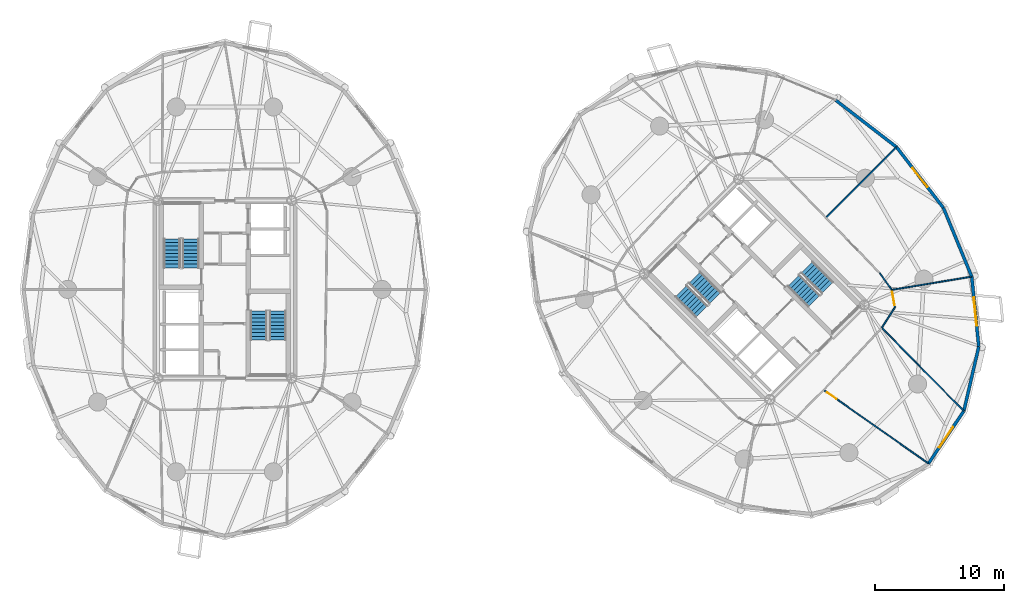
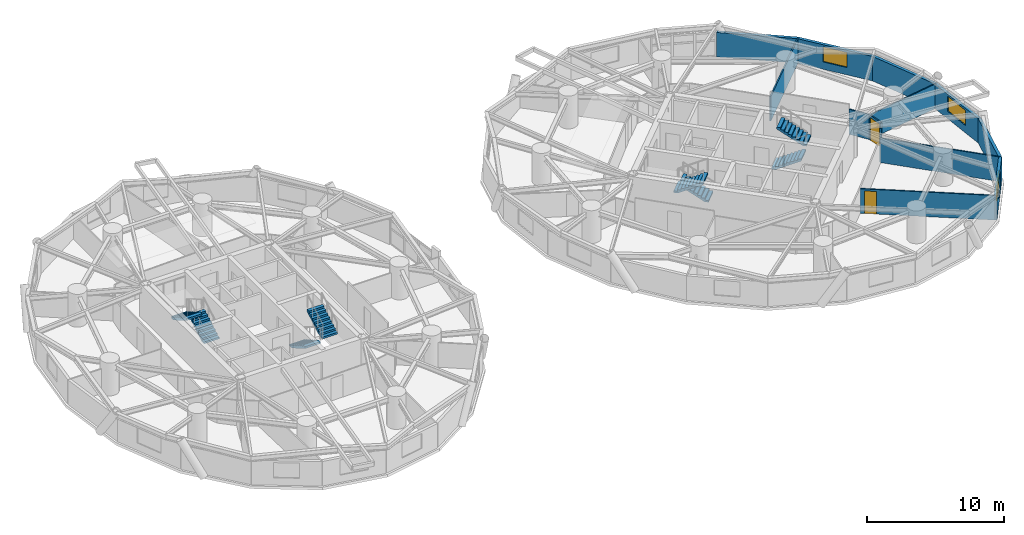
# One storey, part 14 of 16: 13 walls, 8 stair flights, 3 windows, 2 doors, 5 openings, 4 elements without a shape of their own.
"""IFC4 building model written with IfcOpenShell, lengths in metres."""

from ifc_helpers import new_model, si_unit, direction, frame, frame_2d, origin, place, context, subcontext, project, spatial, polyline, rectangle, outline, extrude, source, transform, mapped, material, layer, layer_set, type_object, element, fill, aggregate, save


model = new_model("IFC4")

# Units and contexts
model_context = context("Model", 3, precision=1e-05, world=origin(), true_north=direction((0.0, 1.0)))
body_context = subcontext(model_context, "Body", "Model", "MODEL_VIEW")
ifc_project = project(units=[si_unit("LENGTHUNIT", "METRE"), si_unit("AREAUNIT", "SQUARE_METRE"), si_unit("VOLUMEUNIT", "CUBIC_METRE"), si_unit("PLANEANGLEUNIT", "RADIAN"), si_unit("MASSUNIT", "GRAM", prefix="KILO")], contexts=[model_context])

# Site, building, storey
site_placement = place(None, origin())
site = spatial("IfcSite", under=ifc_project, at=site_placement, CompositionType="ELEMENT")
building_placement = place(site_placement, origin())
building = spatial("IfcBuilding", under=site, at=building_placement, Name="Cununo Teusaquillo Station Towers", CompositionType="ELEMENT")
storey_placement = place(building_placement, frame((0.0, 0.0, 99.25)))
storey = spatial("IfcBuildingStorey", under=building, at=storey_placement, Name="L31", CompositionType="ELEMENT", Elevation=99.25)

# Wall
ifc_material_1 = material(Name="Precast concrete C40/50", Category="concrete")
ifc_layer_1 = layer(ifc_material_1, 0.239990234375)
ifc_layer_set_1 = layer_set([ifc_layer_1], Name="Precast concrete C40/50")
wall_type_1 = type_object("IfcWallType", Name="WL-EXT-240", PredefinedType="SOLIDWALL", material=ifc_layer_set_1)
wall_1_placement = place(storey_placement, frame((63.811279296875, 39.145263671875, 0.0), z_axis=(0.0, 0.0, 1.0), x_axis=(0.791982052206, -0.61054437102, 0.0)))
element("IfcWall", 1, at=wall_1_placement, inside=storey, type_object=wall_type_1, Name="L31 Tower B Exterior Facade Wall C00", PredefinedType="SOLIDWALL", context=body_context, shape_type="SweptSolid", body=[
    extrude(rectangle(XDim=5.942138671875, YDim=0.239990234375, at=frame_2d((2.97119140625, 0.0))), origin(), (0.0, 0.0, 1.0), 2.178955078125),
])

# Wall, opening, window
wall_2_placement = place(storey_placement, frame((73.72900390625, 15.080078125, 0.0), z_axis=(0.0, 0.0, 1.0), x_axis=(-0.559572880421, -0.828781148131, 0.0)))
wall_2 = element("IfcWall", 2, at=wall_2_placement, inside=storey, type_object=wall_type_1, Name="L31 Tower B Exterior Facade Wall C15", PredefinedType="SOLIDWALL", context=body_context, shape_type="SweptSolid", body=[
    extrude(rectangle(XDim=4.904541015625, YDim=0.239990234375, at=frame_2d((2.4521484375, 0.0))), origin(), (0.0, 0.0, 1.0), 2.178955078125),
])
shared_shape_1 = source(origin(), body_context, "Body", "SweptSolid", [
    extrude(rectangle(XDim=1.89990234375, YDim=1.35009765625, at=frame_2d((0.949951171875, 0.675048828125))), frame((0.0, 0.1298828125, 0.0), z_axis=(0.0, -1.0, 0.0), x_axis=(1.0, 0.0, 0.0)), (0.0, 0.0, 1.0), 0.260009765625),
])
opening_1_placement = place(wall_2_placement, frame((1.501953125, 0.0, 0.64990234375)))
opening_1 = element("IfcOpeningElement", 3, at=opening_1_placement, cuts=wall_2, Name="Opening WN-02", PredefinedType="OPENING", context=body_context, shape_type="MappedRepresentation", body=[
    mapped(shared_shape_1, transform((0.0, 0.0, 0.0), x_axis=(1.0, 0.0, 0.0), y_axis=(0.0, 1.0, 0.0), z_axis=(0.0, 0.0, 1.0), scale=1.0)),
])
ifc_material_2 = material(Name="Operable acoustic tinted low-E double glazing", Category="glass")
window_type_1 = type_object("IfcWindowType", Name="WIN-OPER-1900", PartitioningType="DOUBLE_PANEL_VERTICAL", PredefinedType="WINDOW", material=ifc_material_2)
shared_shape_2 = source(origin(), body_context, "Body", "SweptSolid", [
    extrude(rectangle(XDim=1.89990234375, YDim=1.35009765625, at=frame_2d((0.949951171875, 0.675048828125))), frame((0.0, 0.030029296875, 0.0), z_axis=(0.0, -1.0, 0.0), x_axis=(1.0, 0.0, 0.0)), (0.0, 0.0, 1.0), 0.06005859375),
])
window_1_placement = place(opening_1_placement, origin())
window_1 = element("IfcWindow", 4, at=window_1_placement, inside=storey, type_object=window_type_1, Name="L31 Tower B Facade Window C15", OverallHeight=1.35009765625, OverallWidth=1.89990234375, PartitioningType="DOUBLE_PANEL_VERTICAL", PredefinedType="WINDOW", context=body_context, shape_type="MappedRepresentation", body=[
    mapped(shared_shape_2, transform((0.0, 0.0, 0.0), x_axis=(1.0, 0.0, 0.0), y_axis=(0.0, 1.0, 0.0), z_axis=(0.0, 0.0, 1.0), scale=1.0)),
])
fill(opening_1, window_1)

# Wall
wall_3_placement = place(storey_placement, frame((74.885009765625, 20.066650390625, 0.0), z_axis=(0.0, 0.0, 1.0), x_axis=(-0.225834725257, -0.974165631126, 0.0)))
element("IfcWall", 5, at=wall_3_placement, inside=storey, type_object=wall_type_1, Name="L31 Tower B Exterior Facade Wall C16", PredefinedType="SOLIDWALL", context=body_context, shape_type="SweptSolid", body=[
    extrude(rectangle(XDim=5.118896484375, YDim=0.239990234375, at=frame_2d((2.5595703125, 0.0))), origin(), (0.0, 0.0, 1.0), 2.178955078125),
])

# Wall, opening, window
wall_4_placement = place(storey_placement, frame((74.33935546875, 25.4873046875, 0.0), z_axis=(0.0, 0.0, 1.0), x_axis=(0.10015591906, -0.994971754311, 0.0)))
wall_4 = element("IfcWall", 6, at=wall_4_placement, inside=storey, type_object=wall_type_1, Name="L31 Tower B Exterior Facade Wall C17", PredefinedType="SOLIDWALL", context=body_context, shape_type="SweptSolid", body=[
    extrude(rectangle(XDim=5.447998046875, YDim=0.239990234375, at=frame_2d((2.72412109375, 0.0))), origin(), (0.0, 0.0, 1.0), 2.178955078125),
])
shared_shape_3 = source(origin(), body_context, "Body", "SweptSolid", [
    extrude(rectangle(XDim=2.199951171875, YDim=1.35009765625, at=frame_2d((1.10009765625, 0.675048828125))), frame((0.0, 0.1298828125, 0.0), z_axis=(0.0, -1.0, 0.0), x_axis=(1.0, 0.0, 0.0)), (0.0, 0.0, 1.0), 0.260009765625),
])
opening_2_placement = place(wall_4_placement, frame((1.6240234375, 0.0, 0.64990234375)))
opening_2 = element("IfcOpeningElement", 7, at=opening_2_placement, cuts=wall_4, Name="Opening WN-01", PredefinedType="OPENING", context=body_context, shape_type="MappedRepresentation", body=[
    mapped(shared_shape_3, transform((0.0, 0.0, 0.0), x_axis=(1.0, 0.0, 0.0), y_axis=(0.0, 1.0, 0.0), z_axis=(0.0, 0.0, 1.0), scale=1.0)),
])
ifc_material_3 = material(Name="Ceramic-fritted dark low-E double glazing", Category="glass")
window_type_2 = type_object("IfcWindowType", Name="WIN-FRIT-2200", PartitioningType="DOUBLE_PANEL_VERTICAL", PredefinedType="WINDOW", material=ifc_material_3)
shared_shape_4 = source(origin(), body_context, "Body", "SweptSolid", [
    extrude(rectangle(XDim=2.199951171875, YDim=1.35009765625, at=frame_2d((1.10009765625, 0.675048828125))), frame((0.0, 0.030029296875, 0.0), z_axis=(0.0, -1.0, 0.0), x_axis=(1.0, 0.0, 0.0)), (0.0, 0.0, 1.0), 0.06005859375),
])
window_2_placement = place(opening_2_placement, origin())
window_2 = element("IfcWindow", 8, at=window_2_placement, inside=storey, type_object=window_type_2, Name="L31 Tower B Facade Window C17", OverallHeight=1.35009765625, OverallWidth=2.199951171875, PartitioningType="DOUBLE_PANEL_VERTICAL", PredefinedType="WINDOW", context=body_context, shape_type="MappedRepresentation", body=[
    mapped(shared_shape_4, transform((0.0, 0.0, 0.0), x_axis=(1.0, 0.0, 0.0), y_axis=(0.0, 1.0, 0.0), z_axis=(0.0, 0.0, 1.0), scale=1.0)),
])
fill(opening_2, window_2)

# Wall
wall_5_placement = place(storey_placement, frame((72.145263671875, 30.811279296875, 0.0), z_axis=(0.0, 0.0, 1.0), x_axis=(0.381027003055, -0.924563909604, 0.0)))
element("IfcWall", 9, at=wall_5_placement, inside=storey, type_object=wall_type_1, Name="L31 Tower B Exterior Facade Wall C18", PredefinedType="SOLIDWALL", context=body_context, shape_type="SweptSolid", body=[
    extrude(rectangle(XDim=5.75830078125, YDim=0.239990234375, at=frame_2d((2.879150390625, 0.0))), origin(), (0.0, 0.0, 1.0), 2.178955078125),
])

# Wall, opening, window
wall_6_placement = place(storey_placement, frame((68.517333984375, 35.517333984375, 0.0), z_axis=(0.0, 0.0, 1.0), x_axis=(0.61054437102, -0.791982052206, 0.0)))
wall_6 = element("IfcWall", 10, at=wall_6_placement, inside=storey, type_object=wall_type_1, Name="L31 Tower B Exterior Facade Wall C19", PredefinedType="SOLIDWALL", context=body_context, shape_type="SweptSolid", body=[
    extrude(rectangle(XDim=5.942138671875, YDim=0.239990234375, at=frame_2d((2.97119140625, 0.0))), origin(), (0.0, 0.0, 1.0), 2.178955078125),
])
opening_3_placement = place(wall_6_placement, frame((2.02099609375, 0.0, 0.64990234375)))
opening_3 = element("IfcOpeningElement", 11, at=opening_3_placement, cuts=wall_6, Name="Opening WN-02", PredefinedType="OPENING", context=body_context, shape_type="MappedRepresentation", body=[
    mapped(shared_shape_1, transform((0.0, 0.0, 0.0), x_axis=(1.0, 0.0, 0.0), y_axis=(0.0, 1.0, 0.0), z_axis=(0.0, 0.0, 1.0), scale=1.0)),
])
window_3_placement = place(opening_3_placement, origin())
window_3 = element("IfcWindow", 12, at=window_3_placement, inside=storey, type_object=window_type_1, Name="L31 Tower B Facade Window C19", OverallHeight=1.35009765625, OverallWidth=1.89990234375, PartitioningType="DOUBLE_PANEL_VERTICAL", PredefinedType="WINDOW", context=body_context, shape_type="MappedRepresentation", body=[
    mapped(shared_shape_2, transform((0.0, 0.0, 0.0), x_axis=(1.0, 0.0, 0.0), y_axis=(0.0, 1.0, 0.0), z_axis=(0.0, 0.0, 1.0), scale=1.0)),
])
fill(opening_3, window_3)

# Wall
ifc_material_4 = material(Name="Fire-rated gypsum plasterboard partition assembly", Category="gypsum")
ifc_layer_2 = layer(ifc_material_4, 0.10009765625)
ifc_layer_set_2 = layer_set([ifc_layer_2], Name="Fire-rated gypsum plasterboard partition assembly")
wall_type_2 = type_object("IfcWallType", Name="WL-PART-100", PredefinedType="MOVABLE", material=ifc_layer_set_2)
wall_7_placement = place(storey_placement, frame((67.3779296875, 21.534423828125, 0.0), z_axis=(0.0, 0.0, 1.0), x_axis=(0.54130306552, 0.840827563332, 0.0)))
element("IfcWall", 13, at=wall_7_placement, inside=storey, type_object=wall_type_2, Name="L31 Tower B Corridor Ring Wall C16", PredefinedType="MOVABLE", context=body_context, shape_type="SweptSolid", body=[
    extrude(rectangle(XDim=1.877197265625, YDim=0.10009765625, at=frame_2d((0.9384765625, 0.0))), origin(), (0.0, 0.0, 1.0), 2.22509765625),
])

# Wall, opening, door
wall_8_placement = place(storey_placement, frame((68.39404296875, 23.11279296875, 0.0), z_axis=(0.0, 0.0, 1.0), x_axis=(-0.177868948753, 0.984054184011, 0.0)))
wall_8 = element("IfcWall", 14, at=wall_8_placement, inside=storey, type_object=wall_type_2, Name="L31 Tower B Corridor Ring Wall C17", PredefinedType="MOVABLE", context=body_context, shape_type="SweptSolid", body=[
    extrude(rectangle(XDim=1.3740234375, YDim=0.10009765625, at=frame_2d((0.68701171875, 0.0))), origin(), (0.0, 0.0, 1.0), 2.22509765625),
])
shared_shape_5 = source(origin(), body_context, "Body", "SweptSolid", [
    extrude(rectangle(XDim=1.050048828125, YDim=2.014892578125, at=frame_2d((0.52490234375, 1.00732421875))), frame((0.0, 0.06005859375, 0.0), z_axis=(0.0, -1.0, 0.0), x_axis=(1.0, 0.0, 0.0)), (0.0, 0.0, 1.0), 0.1201171875),
])
opening_4_placement = place(wall_8_placement, frame((0.162109375, 0.0, 0.0)))
opening_4 = element("IfcOpeningElement", 15, at=opening_4_placement, cuts=wall_8, Name="Opening D-SU1", PredefinedType="OPENING", context=body_context, shape_type="MappedRepresentation", body=[
    mapped(shared_shape_5, transform((0.0, 0.0, 0.0), x_axis=(1.0, 0.0, 0.0), y_axis=(0.0, 1.0, 0.0), z_axis=(0.0, 0.0, 1.0), scale=1.0)),
])
ifc_material_5 = material(Name="Acoustic solid-core hardwood leaf assembly", Category="wood")
door_type_1 = type_object("IfcDoorType", Name="DR-SUITE-1050", OperationType="NOTDEFINED", PredefinedType="DOOR", material=ifc_material_5)
shared_shape_6 = source(origin(), body_context, "Body", "SweptSolid", [
    extrude(rectangle(XDim=1.050048828125, YDim=2.014892578125, at=frame_2d((0.52490234375, 1.00732421875))), frame((0.0, 0.02490234375, 0.0), z_axis=(0.0, -1.0, 0.0), x_axis=(1.0, 0.0, 0.0)), (0.0, 0.0, 1.0), 0.050048828125),
])
door_1_placement = place(opening_4_placement, origin())
door_1 = element("IfcDoor", 16, at=door_1_placement, inside=storey, type_object=door_type_1, Name="L31 Tower B Traders Quiet Recovery Pantry Entrance Door", OperationType="SINGLE_SWING_LEFT", OverallHeight=2.014892578125, OverallWidth=1.050048828125, PredefinedType="DOOR", context=body_context, shape_type="MappedRepresentation", body=[
    mapped(shared_shape_6, transform((0.0, 0.0, 0.0), x_axis=(1.0, 0.0, 0.0), y_axis=(0.0, 1.0, 0.0), z_axis=(0.0, 0.0, 1.0), scale=1.0)),
])
fill(opening_4, door_1)

# Walls
wall_9_placement = place(storey_placement, frame((68.149658203125, 24.46484375, 0.0), z_axis=(0.0, 0.0, 1.0), x_axis=(-0.58376767291, 0.811920749868, 0.0)))
element("IfcWall", 17, at=wall_9_placement, inside=storey, type_object=wall_type_2, Name="L31 Tower B Corridor Ring Wall C18", PredefinedType="MOVABLE", context=body_context, shape_type="SweptSolid", body=[
    extrude(rectangle(XDim=1.605224609375, YDim=0.10009765625, at=frame_2d((0.802734375, 0.0))), origin(), (0.0, 0.0, 1.0), 2.22509765625),
])
wall_10_placement = place(storey_placement, frame((63.05078125, 30.05078125, 0.0), z_axis=(0.0, 0.0, 1.0), x_axis=(0.707106781187, 0.707106781187, 0.0)))
element("IfcWall", 18, at=wall_10_placement, inside=storey, type_object=wall_type_2, Name="L31 Tower B Radial Suite Partition R01", PredefinedType="MOVABLE", context=body_context, shape_type="SweptSolid", body=[
    extrude(rectangle(XDim=7.711181640625, YDim=0.10009765625, at=frame_2d((3.85546875, 0.0))), origin(), (0.0, 0.0, 1.0), 2.178955078125),
])
wall_11_placement = place(storey_placement, frame((67.3779296875, 21.534423828125, 0.0), z_axis=(0.0, 0.0, 1.0), x_axis=(0.700878918497, -0.713280268622, 0.0)))
element("IfcWall", 19, at=wall_11_placement, inside=storey, type_object=wall_type_2, Name="L31 Tower B Radial Suite Partition R07", PredefinedType="MOVABLE", context=body_context, shape_type="SweptSolid", body=[
    extrude(rectangle(XDim=9.0361328125, YDim=0.10009765625, at=frame_2d((4.51806640625, 0.0))), origin(), (0.0, 0.0, 1.0), 2.178955078125),
])
wall_12_placement = place(storey_placement, frame((68.149658203125, 24.46484375, 0.0), z_axis=(0.0, 0.0, 1.0), x_axis=(0.986627164528, 0.162993368625, 0.0)))
element("IfcWall", 20, at=wall_12_placement, inside=storey, type_object=wall_type_2, Name="L31 Tower B Radial Suite Partition R08", PredefinedType="MOVABLE", context=body_context, shape_type="SweptSolid", body=[
    extrude(rectangle(XDim=6.253662109375, YDim=0.10009765625, at=frame_2d((3.126953125, 0.0))), origin(), (0.0, 0.0, 1.0), 2.178955078125),
])

# Wall, opening, door
wall_13_placement = place(storey_placement, frame((62.874755859375, 16.709228515625, 0.0), z_axis=(0.0, 0.0, 1.0), x_axis=(0.818628370173, -0.574323594804, 0.0)))
wall_13 = element("IfcWall", 21, at=wall_13_placement, inside=storey, type_object=wall_type_2, Name="L31 Tower B Algorithmic Backtesting Lab Suite Subdividing Wall", PredefinedType="MOVABLE", context=body_context, shape_type="SweptSolid", body=[
    extrude(rectangle(XDim=9.889404296875, YDim=0.10009765625, at=frame_2d((4.94482421875, 0.0))), origin(), (0.0, 0.0, 1.0), 2.178955078125),
])
shared_shape_7 = source(origin(), body_context, "Body", "SweptSolid", [
    extrude(rectangle(XDim=0.89990234375, YDim=2.0048828125, at=frame_2d((0.449951171875, 1.00244140625))), frame((0.0, 0.06005859375, 0.0), z_axis=(0.0, -1.0, 0.0), x_axis=(1.0, 0.0, 0.0)), (0.0, 0.0, 1.0), 0.1201171875),
])
opening_5_placement = place(wall_13_placement, frame((0.330078125, 0.0, 0.0)))
opening_5 = element("IfcOpeningElement", 22, at=opening_5_placement, cuts=wall_13, Name="Opening D-IN1", PredefinedType="OPENING", context=body_context, shape_type="MappedRepresentation", body=[
    mapped(shared_shape_7, transform((0.0, 0.0, 0.0), x_axis=(1.0, 0.0, 0.0), y_axis=(0.0, 1.0, 0.0), z_axis=(0.0, 0.0, 1.0), scale=1.0)),
])
ifc_material_6 = material(Name="Acoustic solid-core hardwood leaf assembly", Category="wood")
door_type_2 = type_object("IfcDoorType", Name="DR-INT-900", OperationType="NOTDEFINED", PredefinedType="DOOR", material=ifc_material_6)
shared_shape_8 = source(origin(), body_context, "Body", "SweptSolid", [
    extrude(rectangle(XDim=0.89990234375, YDim=2.0048828125, at=frame_2d((0.449951171875, 1.00244140625))), frame((0.0, 0.02490234375, 0.0), z_axis=(0.0, -1.0, 0.0), x_axis=(1.0, 0.0, 0.0)), (0.0, 0.0, 1.0), 0.050048828125),
])
door_2_placement = place(opening_5_placement, origin())
door_2 = element("IfcDoor", 23, at=door_2_placement, inside=storey, type_object=door_type_2, Name="L31 Tower B Algorithmic Backtesting Lab Suite Connecting Door", OperationType="SINGLE_SWING_RIGHT", OverallHeight=2.0048828125, OverallWidth=0.89990234375, PredefinedType="DOOR", context=body_context, shape_type="MappedRepresentation", body=[
    mapped(shared_shape_8, transform((0.0, 0.0, 0.0), x_axis=(1.0, 0.0, 0.0), y_axis=(0.0, 1.0, 0.0), z_axis=(0.0, 0.0, 1.0), scale=1.0)),
])
fill(opening_5, door_2)

# Stair, stair flights
ifc_material_7 = material(Name="Concrete C50/60", Category="concrete")
stair_type = type_object("IfcStairType", Name="ST-TWR-1300", PredefinedType="HALF_TURN_STAIR", material=ifc_material_7)
stair_1_placement = place(storey_placement, origin())
stair_1 = element("IfcStair", 24, at=stair_1_placement, inside=storey, type_object=stair_type, Name="L31 Tower A Protected Core Exit Stair 1", PredefinedType="HALF_TURN_STAIR")
ifc_material_8 = material(Name="Concrete C50/60", Category="concrete")
stair_flight_type = type_object("IfcStairFlightType", Name="SFL-TWR-1300", PredefinedType="STRAIGHT", material=ifc_material_8)
stair_flight_1_placement = place(storey_placement, frame((13.8701171875, 26.169921875, 0.0), z_axis=(0.0, 0.0, 1.0), x_axis=(0.0, 1.0, 0.0)))
stair_flight_1 = element("IfcStairFlight", 25, at=stair_flight_1_placement, type_object=stair_flight_type, Name="ST-T1-1 flight 1", NumberOfRisers=9, NumberOfTreads=8, PredefinedType="STRAIGHT", RiserHeight=0.161666667, TreadLength=0.28, context=body_context, shape_type="SweptSolid", body=[
    extrude(outline(polyline([(0.0, 0.0), (0.0, 0.16162109375), (0.280029296875, 0.16162109375), (0.280029296875, 0.3232421875), (0.56005859375, 0.3232421875), (0.56005859375, 0.485107421875), (0.840087890625, 0.485107421875), (0.840087890625, 0.646728515625), (1.1201171875, 0.646728515625), (1.1201171875, 0.808349609375), (1.39990234375, 0.808349609375), (1.39990234375, 0.969970703125), (1.679931640625, 0.969970703125), (1.679931640625, 1.131591796875), (1.9599609375, 1.131591796875), (1.9599609375, 1.293212890625), (2.239990234375, 1.293212890625), (2.239990234375, 1.455078125), (2.239990234375, 1.1201171875), (0.2998046875, 0.0), (0.0, 0.0)])), frame((0.0, 0.64990234375, 0.0), z_axis=(0.0, -1.0, 0.0), x_axis=(1.0, 0.0, 0.0)), (0.0, 0.0, 1.0), 1.300048828125),
])
stair_flight_2_placement = place(storey_placement, frame((12.409912109375, 28.409912109375, 1.455078125), z_axis=(0.0, 0.0, 1.0), x_axis=(0.0, -1.0, 0.0)))
stair_flight_2 = element("IfcStairFlight", 26, at=stair_flight_2_placement, type_object=stair_flight_type, Name="ST-T1-1 flight 2", NumberOfRisers=9, NumberOfTreads=8, PredefinedType="STRAIGHT", RiserHeight=0.161666667, TreadLength=0.28, context=body_context, shape_type="SweptSolid", body=[
    extrude(outline(polyline([(0.0, 0.0), (0.0, 0.16162109375), (0.280029296875, 0.16162109375), (0.280029296875, 0.3232421875), (0.56005859375, 0.3232421875), (0.56005859375, 0.485107421875), (0.840087890625, 0.485107421875), (0.840087890625, 0.646728515625), (1.1201171875, 0.646728515625), (1.1201171875, 0.808349609375), (1.39990234375, 0.808349609375), (1.39990234375, 0.969970703125), (1.679931640625, 0.969970703125), (1.679931640625, 1.131591796875), (1.9599609375, 1.131591796875), (1.9599609375, 1.293212890625), (2.239990234375, 1.293212890625), (2.239990234375, 1.455078125), (2.239990234375, 1.1201171875), (0.2998046875, 0.0), (0.0, 0.0)])), frame((0.0, 0.64990234375, 0.0), z_axis=(0.0, -1.0, 0.0), x_axis=(1.0, 0.0, 0.0)), (0.0, 0.0, 1.0), 1.300048828125),
])
aggregate(stair_1, [stair_flight_1, stair_flight_2])

stair_2_placement = place(storey_placement, origin())
stair_2 = element("IfcStair", 27, at=stair_2_placement, inside=storey, type_object=stair_type, Name="L31 Tower A Protected Core Exit Stair 2", PredefinedType="HALF_TURN_STAIR")
stair_flight_3_placement = place(storey_placement, frame((19.1298828125, 22.830078125, 0.0), z_axis=(0.0, 0.0, 1.0), x_axis=(0.0, -1.0, 0.0)))
stair_flight_3 = element("IfcStairFlight", 28, at=stair_flight_3_placement, type_object=stair_flight_type, Name="ST-T1-2 flight 1", NumberOfRisers=9, NumberOfTreads=8, PredefinedType="STRAIGHT", RiserHeight=0.161666667, TreadLength=0.28, context=body_context, shape_type="SweptSolid", body=[
    extrude(outline(polyline([(0.0, 0.0), (0.0, 0.16162109375), (0.280029296875, 0.16162109375), (0.280029296875, 0.3232421875), (0.56005859375, 0.3232421875), (0.56005859375, 0.485107421875), (0.840087890625, 0.485107421875), (0.840087890625, 0.646728515625), (1.1201171875, 0.646728515625), (1.1201171875, 0.808349609375), (1.39990234375, 0.808349609375), (1.39990234375, 0.969970703125), (1.679931640625, 0.969970703125), (1.679931640625, 1.131591796875), (1.9599609375, 1.131591796875), (1.9599609375, 1.293212890625), (2.239990234375, 1.293212890625), (2.239990234375, 1.455078125), (2.239990234375, 1.1201171875), (0.2998046875, 0.0), (0.0, 0.0)])), frame((0.0, 0.64990234375, 0.0), z_axis=(0.0, -1.0, 0.0), x_axis=(1.0, 0.0, 0.0)), (0.0, 0.0, 1.0), 1.300048828125),
])
stair_flight_4_placement = place(storey_placement, frame((20.590087890625, 20.590087890625, 1.455078125), z_axis=(0.0, 0.0, 1.0), x_axis=(0.0, 1.0, 0.0)))
stair_flight_4 = element("IfcStairFlight", 29, at=stair_flight_4_placement, type_object=stair_flight_type, Name="ST-T1-2 flight 2", NumberOfRisers=9, NumberOfTreads=8, PredefinedType="STRAIGHT", RiserHeight=0.161666667, TreadLength=0.28, context=body_context, shape_type="SweptSolid", body=[
    extrude(outline(polyline([(0.0, 0.0), (0.0, 0.16162109375), (0.280029296875, 0.16162109375), (0.280029296875, 0.3232421875), (0.56005859375, 0.3232421875), (0.56005859375, 0.485107421875), (0.840087890625, 0.485107421875), (0.840087890625, 0.646728515625), (1.1201171875, 0.646728515625), (1.1201171875, 0.808349609375), (1.39990234375, 0.808349609375), (1.39990234375, 0.969970703125), (1.679931640625, 0.969970703125), (1.679931640625, 1.131591796875), (1.9599609375, 1.131591796875), (1.9599609375, 1.293212890625), (2.239990234375, 1.293212890625), (2.239990234375, 1.455078125), (2.239990234375, 1.1201171875), (0.2998046875, 0.0), (0.0, 0.0)])), frame((0.0, 0.64990234375, 0.0), z_axis=(0.0, -1.0, 0.0), x_axis=(1.0, 0.0, 0.0)), (0.0, 0.0, 1.0), 1.300048828125),
])
aggregate(stair_2, [stair_flight_3, stair_flight_4])

stair_3_placement = place(storey_placement, origin())
stair_3 = element("IfcStair", 30, at=stair_3_placement, inside=storey, type_object=stair_type, Name="L31 Tower B Protected Core Exit Stair 1", PredefinedType="HALF_TURN_STAIR")
stair_flight_5_placement = place(storey_placement, frame((54.45947265625, 23.8212890625, 0.0), z_axis=(0.0, 0.0, 1.0), x_axis=(-0.707106781187, 0.707106781187, 0.0)))
stair_flight_5 = element("IfcStairFlight", 31, at=stair_flight_5_placement, type_object=stair_flight_type, Name="ST-T2-1 flight 1", NumberOfRisers=9, NumberOfTreads=8, PredefinedType="STRAIGHT", RiserHeight=0.161666667, TreadLength=0.28, context=body_context, shape_type="SweptSolid", body=[
    extrude(outline(polyline([(0.0, 0.0), (0.0, 0.16162109375), (0.280029296875, 0.16162109375), (0.280029296875, 0.3232421875), (0.56005859375, 0.3232421875), (0.56005859375, 0.485107421875), (0.840087890625, 0.485107421875), (0.840087890625, 0.646728515625), (1.1201171875, 0.646728515625), (1.1201171875, 0.808349609375), (1.39990234375, 0.808349609375), (1.39990234375, 0.969970703125), (1.679931640625, 0.969970703125), (1.679931640625, 1.131591796875), (1.9599609375, 1.131591796875), (1.9599609375, 1.293212890625), (2.239990234375, 1.293212890625), (2.239990234375, 1.455078125), (2.239990234375, 1.1201171875), (0.2998046875, 0.0), (0.0, 0.0)])), frame((0.0, 0.64990234375, 0.0), z_axis=(0.0, -1.0, 0.0), x_axis=(1.0, 0.0, 0.0)), (0.0, 0.0, 1.0), 1.300048828125),
])
stair_flight_6_placement = place(storey_placement, frame((51.84326171875, 24.372802734375, 1.455078125), z_axis=(0.0, 0.0, 1.0), x_axis=(0.707106781187, -0.707106781187, 0.0)))
stair_flight_6 = element("IfcStairFlight", 32, at=stair_flight_6_placement, type_object=stair_flight_type, Name="ST-T2-1 flight 2", NumberOfRisers=9, NumberOfTreads=8, PredefinedType="STRAIGHT", RiserHeight=0.161666667, TreadLength=0.28, context=body_context, shape_type="SweptSolid", body=[
    extrude(outline(polyline([(0.0, 0.0), (0.0, 0.16162109375), (0.280029296875, 0.16162109375), (0.280029296875, 0.3232421875), (0.56005859375, 0.3232421875), (0.56005859375, 0.485107421875), (0.840087890625, 0.485107421875), (0.840087890625, 0.646728515625), (1.1201171875, 0.646728515625), (1.1201171875, 0.808349609375), (1.39990234375, 0.808349609375), (1.39990234375, 0.969970703125), (1.679931640625, 0.969970703125), (1.679931640625, 1.131591796875), (1.9599609375, 1.131591796875), (1.9599609375, 1.293212890625), (2.239990234375, 1.293212890625), (2.239990234375, 1.455078125), (2.239990234375, 1.1201171875), (0.2998046875, 0.0), (0.0, 0.0)])), frame((0.0, 0.64990234375, 0.0), z_axis=(0.0, -1.0, 0.0), x_axis=(1.0, 0.0, 0.0)), (0.0, 0.0, 1.0), 1.300048828125),
])
aggregate(stair_3, [stair_flight_5, stair_flight_6])

stair_4_placement = place(storey_placement, origin())
stair_4 = element("IfcStair", 33, at=stair_4_placement, inside=storey, type_object=stair_type, Name="L31 Tower B Protected Core Exit Stair 2", PredefinedType="HALF_TURN_STAIR")
stair_flight_7_placement = place(storey_placement, frame((60.54052734375, 25.1787109375, 0.0), z_axis=(0.0, 0.0, 1.0), x_axis=(0.707106781187, -0.707106781187, 0.0)))
stair_flight_7 = element("IfcStairFlight", 34, at=stair_flight_7_placement, type_object=stair_flight_type, Name="ST-T2-2 flight 1", NumberOfRisers=9, NumberOfTreads=8, PredefinedType="STRAIGHT", RiserHeight=0.161666667, TreadLength=0.28, context=body_context, shape_type="SweptSolid", body=[
    extrude(outline(polyline([(0.0, 0.0), (0.0, 0.16162109375), (0.280029296875, 0.16162109375), (0.280029296875, 0.3232421875), (0.56005859375, 0.3232421875), (0.56005859375, 0.485107421875), (0.840087890625, 0.485107421875), (0.840087890625, 0.646728515625), (1.1201171875, 0.646728515625), (1.1201171875, 0.808349609375), (1.39990234375, 0.808349609375), (1.39990234375, 0.969970703125), (1.679931640625, 0.969970703125), (1.679931640625, 1.131591796875), (1.9599609375, 1.131591796875), (1.9599609375, 1.293212890625), (2.239990234375, 1.293212890625), (2.239990234375, 1.455078125), (2.239990234375, 1.1201171875), (0.2998046875, 0.0), (0.0, 0.0)])), frame((0.0, 0.64990234375, 0.0), z_axis=(0.0, -1.0, 0.0), x_axis=(1.0, 0.0, 0.0)), (0.0, 0.0, 1.0), 1.300048828125),
])
stair_flight_8_placement = place(storey_placement, frame((63.15673828125, 24.627197265625, 1.455078125), z_axis=(0.0, 0.0, 1.0), x_axis=(-0.707106781187, 0.707106781187, 0.0)))
stair_flight_8 = element("IfcStairFlight", 35, at=stair_flight_8_placement, type_object=stair_flight_type, Name="ST-T2-2 flight 2", NumberOfRisers=9, NumberOfTreads=8, PredefinedType="STRAIGHT", RiserHeight=0.161666667, TreadLength=0.28, context=body_context, shape_type="SweptSolid", body=[
    extrude(outline(polyline([(0.0, 0.0), (0.0, 0.16162109375), (0.280029296875, 0.16162109375), (0.280029296875, 0.3232421875), (0.56005859375, 0.3232421875), (0.56005859375, 0.485107421875), (0.840087890625, 0.485107421875), (0.840087890625, 0.646728515625), (1.1201171875, 0.646728515625), (1.1201171875, 0.808349609375), (1.39990234375, 0.808349609375), (1.39990234375, 0.969970703125), (1.679931640625, 0.969970703125), (1.679931640625, 1.131591796875), (1.9599609375, 1.131591796875), (1.9599609375, 1.293212890625), (2.239990234375, 1.293212890625), (2.239990234375, 1.455078125), (2.239990234375, 1.1201171875), (0.2998046875, 0.0), (0.0, 0.0)])), frame((0.0, 0.64990234375, 0.0), z_axis=(0.0, -1.0, 0.0), x_axis=(1.0, 0.0, 0.0)), (0.0, 0.0, 1.0), 1.300048828125),
])
aggregate(stair_4, [stair_flight_7, stair_flight_8])

save(model, "model.ifc")
